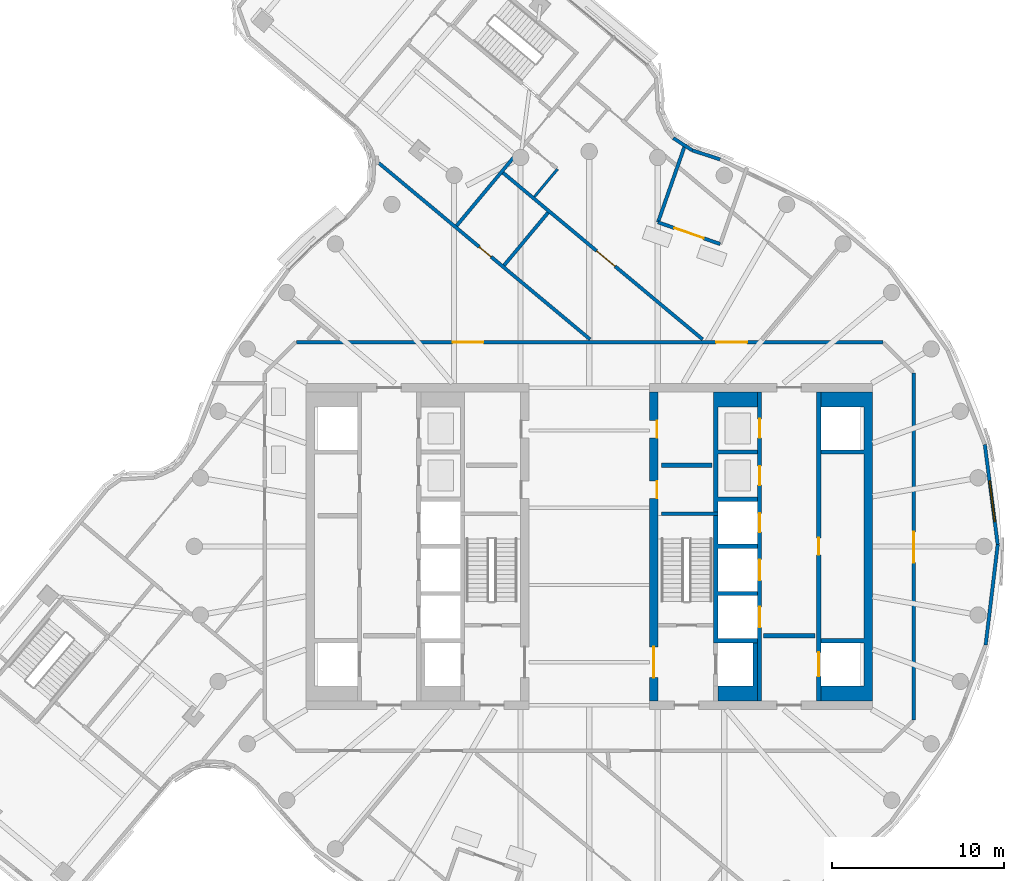
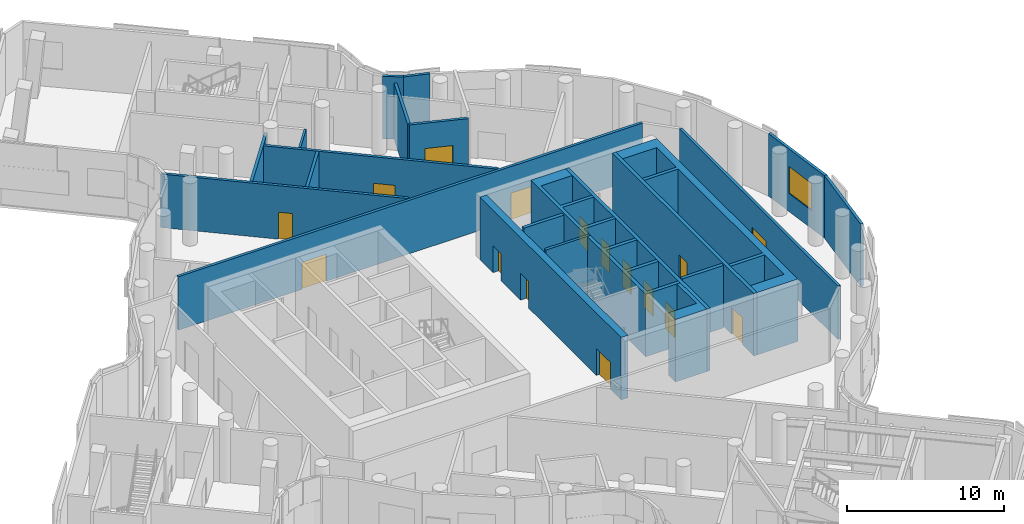
# One storey, part 10 of 19: 22 walls, 16 doors, 1 window, 17 openings.
"""IFC4 building model written with IfcOpenShell, lengths in metres."""

from ifc_helpers import new_model, si_unit, direction, frame, frame_2d, origin, place, context, subcontext, project, spatial, polyline, rectangle, outline, extrude, material, layer, layer_set, type_object, element, fill, save


model = new_model("IFC4")

# Units and contexts
model_context = context("Model", 3, precision=1e-05, world=origin(), true_north=direction((0.0, 1.0)))
body_context = subcontext(model_context, "Body", "Model", "MODEL_VIEW")
ifc_project = project(units=[si_unit("LENGTHUNIT", "METRE"), si_unit("AREAUNIT", "SQUARE_METRE"), si_unit("VOLUMEUNIT", "CUBIC_METRE"), si_unit("PLANEANGLEUNIT", "RADIAN"), si_unit("MASSUNIT", "GRAM", prefix="KILO")], contexts=[model_context])

# Site, building, storey
site_placement = place(None, origin())
site = spatial("IfcSite", under=ifc_project, at=site_placement, CompositionType="ELEMENT")
building_placement = place(site_placement, origin())
building = spatial("IfcBuilding", under=site, at=building_placement, Name="Tamarind Cross Interchange Tower", CompositionType="ELEMENT")
storey_placement = place(building_placement, frame((0.0, 0.0, 214.89990234375)))
storey = spatial("IfcBuildingStorey", under=building, at=storey_placement, Name="L54", CompositionType="ELEMENT", Elevation=214.89990234375)

# Wall, opening, door
ifc_material_1 = material(Name="Concrete C40", Category="concrete")
ifc_layer_1 = layer(ifc_material_1, 0.199951171875)
ifc_layer_set_1 = layer_set([ifc_layer_1], Name="Concrete C40")
wall_type_1 = type_object("IfcWallType", Name="Balcony and garden door wall", PredefinedType="SOLIDWALL", material=ifc_layer_set_1)
wall_1_placement = place(storey_placement, frame((7.633544921875, 17.6083984375, 0.0), z_axis=(0.0, 0.0, 1.0), x_axis=(-0.943849439762, 0.330375899638, 0.0)))
wall_1 = element("IfcWall", 1, at=wall_1_placement, inside=storey, type_object=wall_type_1, Name="EXW-L54-WG-L54-SNb", PredefinedType="SOLIDWALL", context=body_context, shape_type="SweptSolid", body=[
    extrude(rectangle(XDim=3.842041015625, YDim=0.199951171875, at=frame_2d((1.9208984375, 0.0))), origin(), (0.0, 0.0, 1.0), 4.364013671875),
])
opening_1_placement = place(wall_1_placement, frame((1.02099609375, 0.0, 0.0)))
opening_1 = element("IfcOpeningElement", 2, at=opening_1_placement, cuts=wall_1, Name="Opening D5", PredefinedType="OPENING", context=body_context, shape_type="SweptSolid", body=[
    extrude(rectangle(XDim=1.800048828125, YDim=2.39990234375, at=frame_2d((0.89990234375, 1.199951171875))), frame((0.0, 0.10986328125, 0.0), z_axis=(0.0, -1.0, 0.0), x_axis=(1.0, 0.0, 0.0)), (0.0, 0.0, 1.0), 0.219970703125),
])
ifc_material_2 = material(Name="Aluminium and toughened glass", Category="aluminium")
door_type_1 = type_object("IfcDoorType", Name="Roof garden door", OperationType="DOUBLE_DOOR_SINGLE_SWING", PredefinedType="DOOR", material=ifc_material_2)
door_1_placement = place(opening_1_placement, origin())
door_1 = element("IfcDoor", 3, at=door_1_placement, inside=storey, type_object=door_type_1, Name="DOR-L54-WG-L54-SNb", OperationType="SINGLE_SWING_LEFT", OverallHeight=2.39990234375, OverallWidth=1.800048828125, PredefinedType="DOOR", context=body_context, shape_type="SweptSolid", body=[
    extrude(rectangle(XDim=1.800048828125, YDim=2.39990234375, at=frame_2d((0.89990234375, 1.199951171875))), frame((0.0, 0.02490234375, 0.0), z_axis=(0.0, -1.0, 0.0), x_axis=(1.0, 0.0, 0.0)), (0.0, 0.0, 1.0), 0.050048828125),
])
fill(opening_1, door_1)

# Walls
wall_2_placement = place(storey_placement, frame((4.00732421875, 18.877685546875, 0.0), z_axis=(0.0, 0.0, 1.0), x_axis=(0.330357165554, 0.94385599705, 0.0)))
element("IfcWall", 4, at=wall_2_placement, inside=storey, type_object=wall_type_1, Name="EXW-L54-WG-L54-SNb-R1", PredefinedType="SOLIDWALL", context=body_context, shape_type="SweptSolid", body=[
    extrude(rectangle(XDim=4.83984375, YDim=0.199951171875, at=frame_2d((2.419921875, 0.0))), origin(), (0.0, 0.0, 1.0), 4.364013671875),
])
ifc_material_3 = material(Name="Concrete C55", Category="concrete")
ifc_layer_2 = layer(ifc_material_3, 0.5)
ifc_layer_set_2 = layer_set([ifc_layer_2], Name="Concrete C55")
wall_type_2 = type_object("IfcWallType", Name="Core wall 500 mm Concrete C55", PredefinedType="SHEAR", material=ifc_layer_set_2)
wall_3_placement = place(storey_placement, origin())
element("IfcWall", 5, at=wall_3_placement, inside=storey, type_object=wall_type_2, Name="Core wall CWL-L54-E-A", PredefinedType="SHEAR", context=body_context, shape_type="SweptSolid", body=[
    extrude(outline(polyline([(13.5, -8.125), (13.5, -9.0), (16.0, -9.0), (16.5, -9.0), (16.5, 9.0), (16.0, 9.0), (13.5, 9.0), (13.5, 8.125), (16.0, 8.125), (16.0, 5.625), (13.5, 5.625), (13.5, 5.375), (16.0, 5.375), (16.0, -5.375), (13.5, -5.375), (13.5, -5.625), (16.0, -5.625), (16.0, -8.125), (13.5, -8.125)])), origin(), (0.0, 0.0, 1.0), 4.860107421875),
])

# Wall, openings, doors
wall_4_placement = place(storey_placement, frame((3.75, -9.0, 0.0), z_axis=(0.0, 0.0, 1.0), x_axis=(0.0, 1.0, 0.0)))
wall_4 = element("IfcWall", 6, at=wall_4_placement, inside=storey, type_object=wall_type_2, Name="Core wall CWL-L54-E-IN", PredefinedType="SHEAR", context=body_context, shape_type="SweptSolid", body=[
    extrude(rectangle(XDim=18.0, YDim=0.5, at=frame_2d((9.0, 0.0))), origin(), (0.0, 0.0, 1.0), 4.860107421875),
])
opening_2_placement = place(wall_4_placement, frame((1.35009765625, 0.0, 0.0)))
opening_2 = element("IfcOpeningElement", 7, at=opening_2_placement, cuts=wall_4, Name="Opening DCE4", PredefinedType="OPENING", context=body_context, shape_type="SweptSolid", body=[
    extrude(rectangle(XDim=1.800048828125, YDim=2.10009765625, at=frame_2d((0.89990234375, 1.050048828125))), frame((0.0, 0.260009765625, 0.0), z_axis=(0.0, -1.0, 0.0), x_axis=(1.0, 0.0, 0.0)), (0.0, 0.0, 1.0), 0.52001953125),
])
opening_3_placement = place(wall_4_placement, frame((11.797607421875, 0.0, 0.0)))
opening_3 = element("IfcOpeningElement", 8, at=opening_3_placement, cuts=wall_4, Name="Opening DCE5", PredefinedType="OPENING", context=body_context, shape_type="SweptSolid", body=[
    extrude(rectangle(XDim=1.0, YDim=2.10009765625, at=frame_2d((0.5, 1.050048828125))), frame((0.0, 0.260009765625, 0.0), z_axis=(0.0, -1.0, 0.0), x_axis=(1.0, 0.0, 0.0)), (0.0, 0.0, 1.0), 0.52001953125),
])
opening_4_placement = place(wall_4_placement, frame((15.322509765625, 0.0, 0.0)))
opening_4 = element("IfcOpeningElement", 9, at=opening_4_placement, cuts=wall_4, Name="Opening DCE5", PredefinedType="OPENING", context=body_context, shape_type="SweptSolid", body=[
    extrude(rectangle(XDim=1.0, YDim=2.10009765625, at=frame_2d((0.5, 1.050048828125))), frame((0.0, 0.260009765625, 0.0), z_axis=(0.0, -1.0, 0.0), x_axis=(1.0, 0.0, 0.0)), (0.0, 0.0, 1.0), 0.52001953125),
])
ifc_material_4 = material(Name="Steel, fire-resisting", Category="steel")
door_type_2 = type_object("IfcDoorType", Name="Core fire door 1000 x 2100 FD90", OperationType="SINGLE_SWING_LEFT", PredefinedType="DOOR", material=ifc_material_4)
door_2_placement = place(opening_3_placement, origin())
door_2 = element("IfcDoor", 10, at=door_2_placement, inside=storey, type_object=door_type_2, Name="L54 plant store door", OperationType="SINGLE_SWING_LEFT", OverallHeight=2.10009765625, OverallWidth=1.0, PredefinedType="DOOR", context=body_context, shape_type="SweptSolid", body=[
    extrude(rectangle(XDim=1.0, YDim=2.10009765625, at=frame_2d((0.5, 1.050048828125))), frame((0.0, -0.1748046875, 0.0), z_axis=(0.0, -1.0, 0.0), x_axis=(1.0, 0.0, 0.0)), (0.0, 0.0, 1.0), 0.050048828125),
])
fill(opening_3, door_2)
door_3_placement = place(opening_4_placement, origin())
door_3 = element("IfcDoor", 11, at=door_3_placement, inside=storey, type_object=door_type_2, Name="L54 pump store door", OperationType="SINGLE_SWING_LEFT", OverallHeight=2.10009765625, OverallWidth=1.0, PredefinedType="DOOR", context=body_context, shape_type="SweptSolid", body=[
    extrude(rectangle(XDim=1.0, YDim=2.10009765625, at=frame_2d((0.5, 1.050048828125))), frame((0.0, -0.1748046875, 0.0), z_axis=(0.0, -1.0, 0.0), x_axis=(1.0, 0.0, 0.0)), (0.0, 0.0, 1.0), 0.050048828125),
])
fill(opening_4, door_3)
door_type_3 = type_object("IfcDoorType", Name="Core fire door 1800 x 2100 FD90", OperationType="SINGLE_SWING_LEFT", PredefinedType="DOOR", material=ifc_material_4)
door_4_placement = place(opening_2_placement, origin())
door_4 = element("IfcDoor", 12, at=door_4_placement, inside=storey, type_object=door_type_3, Name="L54 firefighting lobby door", OperationType="SINGLE_SWING_LEFT", OverallHeight=2.10009765625, OverallWidth=1.800048828125, PredefinedType="DOOR", context=body_context, shape_type="SweptSolid", body=[
    extrude(rectangle(XDim=1.800048828125, YDim=2.10009765625, at=frame_2d((0.89990234375, 1.050048828125))), frame((0.0, 0.02490234375, 0.0), z_axis=(0.0, -1.0, 0.0), x_axis=(1.0, 0.0, 0.0)), (0.0, 0.0, 1.0), 0.050048828125),
])
fill(opening_2, door_4)

# Walls
ifc_layer_3 = layer(ifc_material_3, 0.199951171875)
ifc_layer_set_3 = layer_set([ifc_layer_3], Name="Concrete C55")
wall_type_3 = type_object("IfcWallType", Name="Core web wall 200 mm Concrete C55", PredefinedType="SHEAR", material=ifc_layer_set_3)
wall_5_placement = place(storey_placement, frame((7.5, 1.89990234375, 0.0), z_axis=(0.0, 0.0, 1.0), x_axis=(-1.0, 0.0, 0.0)))
element("IfcWall", 13, at=wall_5_placement, inside=storey, type_object=wall_type_3, Name="Core wall CWL-L54-E-BD", PredefinedType="SHEAR", context=body_context, shape_type="SweptSolid", body=[
    extrude(rectangle(XDim=3.300048828125, YDim=0.199951171875, at=frame_2d((1.64990234375, 0.0))), origin(), (0.0, 0.0, 1.0), 4.860107421875),
])
ifc_layer_4 = layer(ifc_material_3, 0.25)
ifc_layer_set_4 = layer_set([ifc_layer_4], Name="Concrete C55")
wall_type_4 = type_object("IfcWallType", Name="Core web wall 250 mm Concrete C55", PredefinedType="SHEAR", material=ifc_layer_set_4)
wall_6_placement = place(storey_placement, origin())
element("IfcWall", 14, at=wall_6_placement, inside=storey, type_object=wall_type_4, Name="Core wall CWL-L54-E-BN", PredefinedType="SHEAR", context=body_context, shape_type="SweptSolid", body=[
    extrude(outline(polyline([(9.800048828125, -5.375), (7.5, -5.375), (7.5, -2.875), (9.800048828125, -2.875), (9.800048828125, -2.625), (7.5, -2.625), (7.5, -0.125), (9.800048828125, -0.125), (9.800048828125, 0.125), (7.5, 0.125), (7.5, 2.625), (9.800048828125, 2.625), (9.800048828125, 2.875), (7.5, 2.875), (7.5, 5.375), (9.800048828125, 5.375), (9.800048828125, 5.625), (7.5, 5.625), (7.5, 8.125), (9.800048828125, 8.125), (9.800048828125, 9.0), (7.5, 9.0), (7.25, 9.0), (7.25, -5.625), (7.5, -5.625), (9.800048828125, -5.625), (9.800048828125, -5.375)])), origin(), (0.0, 0.0, 1.0), 4.860107421875),
])
wall_7_placement = place(storey_placement, origin())
element("IfcWall", 15, at=wall_7_placement, inside=storey, type_object=wall_type_4, Name="Core wall CWL-L54-E-BS", PredefinedType="SHEAR", context=body_context, shape_type="SweptSolid", body=[
    extrude(outline(polyline([(7.5, -8.125), (7.5, -9.0), (9.800048828125, -9.0), (9.800048828125, -8.125), (9.800048828125, -5.625), (9.550048828125, -5.625), (9.550048828125, -8.125), (7.5, -8.125)])), origin(), (0.0, 0.0, 1.0), 4.860107421875),
])

# Wall, openings, doors
wall_8_placement = place(storey_placement, frame((13.375, -9.0, 0.0), z_axis=(0.0, 0.0, 1.0), x_axis=(0.0, 1.0, 0.0)))
wall_8 = element("IfcWall", 16, at=wall_8_placement, inside=storey, type_object=wall_type_4, Name="Core wall CWL-L54-E-LA", PredefinedType="SHEAR", context=body_context, shape_type="SweptSolid", body=[
    extrude(rectangle(XDim=18.0, YDim=0.25, at=frame_2d((9.0, 0.0))), origin(), (0.0, 0.0, 1.0), 4.860107421875),
])
opening_5_placement = place(wall_8_placement, frame((1.425048828125, 0.0, 0.0)))
opening_5 = element("IfcOpeningElement", 17, at=opening_5_placement, cuts=wall_8, Name="Opening LD13L54", PredefinedType="OPENING", context=body_context, shape_type="SweptSolid", body=[
    extrude(rectangle(XDim=1.39990234375, YDim=2.10009765625, at=frame_2d((0.699951171875, 1.050048828125))), frame((0.0, 0.135009765625, 0.0), z_axis=(0.0, -1.0, 0.0), x_axis=(1.0, 0.0, 0.0)), (0.0, 0.0, 1.0), 0.27001953125),
])
opening_6_placement = place(wall_8_placement, frame((8.5, 0.0, 0.0)))
opening_6 = element("IfcOpeningElement", 18, at=opening_6_placement, cuts=wall_8, Name="Opening DCE9", PredefinedType="OPENING", context=body_context, shape_type="SweptSolid", body=[
    extrude(rectangle(XDim=1.0, YDim=2.10009765625, at=frame_2d((0.5, 1.050048828125))), frame((0.0, 0.135009765625, 0.0), z_axis=(0.0, -1.0, 0.0), x_axis=(1.0, 0.0, 0.0)), (0.0, 0.0, 1.0), 0.27001953125),
])
door_5_placement = place(opening_6_placement, origin())
door_5 = element("IfcDoor", 19, at=door_5_placement, inside=storey, type_object=door_type_2, Name="L54 Refuge storage room door", OperationType="SINGLE_SWING_LEFT", OverallHeight=2.10009765625, OverallWidth=1.0, PredefinedType="DOOR", context=body_context, shape_type="SweptSolid", body=[
    extrude(rectangle(XDim=1.0, YDim=2.10009765625, at=frame_2d((0.5, 1.050048828125))), frame((0.0, 0.02490234375, 0.0), z_axis=(0.0, -1.0, 0.0), x_axis=(1.0, 0.0, 0.0)), (0.0, 0.0, 1.0), 0.050048828125),
])
fill(opening_6, door_5)
ifc_material_5 = material(Name="Stainless steel panel", Category="steel")
door_type_4 = type_object("IfcDoorType", Name="Lift landing door 1400 x 2100 E 120", OperationType="SLIDING_TO_LEFT", PredefinedType="DOOR", material=ifc_material_5)
door_6_placement = place(opening_5_placement, origin())
door_6 = element("IfcDoor", 20, at=door_6_placement, inside=storey, type_object=door_type_4, Name="L54 landing door LF13", OperationType="SLIDING_TO_LEFT", OverallHeight=2.10009765625, OverallWidth=1.39990234375, PredefinedType="DOOR", context=body_context, shape_type="SweptSolid", body=[
    extrude(rectangle(XDim=1.39990234375, YDim=2.10009765625, at=frame_2d((0.699951171875, 1.050048828125))), frame((0.0, 0.02490234375, 0.0), z_axis=(0.0, -1.0, 0.0), x_axis=(1.0, 0.0, 0.0)), (0.0, 0.0, 1.0), 0.050048828125),
])
fill(opening_5, door_6)

wall_9_placement = place(storey_placement, frame((9.925048828125, -9.0, 0.0), z_axis=(0.0, 0.0, 1.0), x_axis=(0.0, 1.0, 0.0)))
wall_9 = element("IfcWall", 21, at=wall_9_placement, inside=storey, type_object=wall_type_4, Name="Core wall CWL-L54-E-LB", PredefinedType="SHEAR", context=body_context, shape_type="SweptSolid", body=[
    extrude(rectangle(XDim=18.0, YDim=0.25, at=frame_2d((9.0, 0.0))), origin(), (0.0, 0.0, 1.0), 4.860107421875),
])
opening_7_placement = place(wall_9_placement, frame((4.27490234375, 0.0, 0.0)))
opening_7 = element("IfcOpeningElement", 22, at=opening_7_placement, cuts=wall_9, Name="Opening LD20L54", PredefinedType="OPENING", context=body_context, shape_type="SweptSolid", body=[
    extrude(rectangle(XDim=1.199951171875, YDim=2.10009765625, at=frame_2d((0.60009765625, 1.050048828125))), frame((0.0, 0.135009765625, 0.0), z_axis=(0.0, -1.0, 0.0), x_axis=(1.0, 0.0, 0.0)), (0.0, 0.0, 1.0), 0.27001953125),
])
opening_8_placement = place(wall_9_placement, frame((7.02490234375, 0.0, 0.0)))
opening_8 = element("IfcOpeningElement", 23, at=opening_8_placement, cuts=wall_9, Name="Opening LD21L54", PredefinedType="OPENING", context=body_context, shape_type="SweptSolid", body=[
    extrude(rectangle(XDim=1.199951171875, YDim=2.10009765625, at=frame_2d((0.60009765625, 1.050048828125))), frame((0.0, 0.135009765625, 0.0), z_axis=(0.0, -1.0, 0.0), x_axis=(1.0, 0.0, 0.0)), (0.0, 0.0, 1.0), 0.27001953125),
])
opening_9_placement = place(wall_9_placement, frame((9.824951171875, 0.0, 0.0)))
opening_9 = element("IfcOpeningElement", 24, at=opening_9_placement, cuts=wall_9, Name="Opening LD22L54", PredefinedType="OPENING", context=body_context, shape_type="SweptSolid", body=[
    extrude(rectangle(XDim=1.10009765625, YDim=2.10009765625, at=frame_2d((0.550048828125, 1.050048828125))), frame((0.0, 0.135009765625, 0.0), z_axis=(0.0, -1.0, 0.0), x_axis=(1.0, 0.0, 0.0)), (0.0, 0.0, 1.0), 0.27001953125),
])
opening_10_placement = place(wall_9_placement, frame((12.574951171875, 0.0, 0.0)))
opening_10 = element("IfcOpeningElement", 25, at=opening_10_placement, cuts=wall_9, Name="Opening LD23L54", PredefinedType="OPENING", context=body_context, shape_type="SweptSolid", body=[
    extrude(rectangle(XDim=1.10009765625, YDim=2.10009765625, at=frame_2d((0.550048828125, 1.050048828125))), frame((0.0, 0.135009765625, 0.0), z_axis=(0.0, -1.0, 0.0), x_axis=(1.0, 0.0, 0.0)), (0.0, 0.0, 1.0), 0.27001953125),
])
opening_11_placement = place(wall_9_placement, frame((15.324951171875, 0.0, 0.0)))
opening_11 = element("IfcOpeningElement", 26, at=opening_11_placement, cuts=wall_9, Name="Opening LD24L54", PredefinedType="OPENING", context=body_context, shape_type="SweptSolid", body=[
    extrude(rectangle(XDim=1.10009765625, YDim=2.10009765625, at=frame_2d((0.550048828125, 1.050048828125))), frame((0.0, 0.135009765625, 0.0), z_axis=(0.0, -1.0, 0.0), x_axis=(1.0, 0.0, 0.0)), (0.0, 0.0, 1.0), 0.27001953125),
])
door_type_5 = type_object("IfcDoorType", Name="Lift landing door 1100 x 2100 E 120", OperationType="SLIDING_TO_LEFT", PredefinedType="DOOR", material=ifc_material_5)
door_7_placement = place(opening_9_placement, origin())
door_7 = element("IfcDoor", 27, at=door_7_placement, inside=storey, type_object=door_type_5, Name="L54 landing door LF22", OperationType="SLIDING_TO_LEFT", OverallHeight=2.10009765625, OverallWidth=1.10009765625, PredefinedType="DOOR", context=body_context, shape_type="SweptSolid", body=[
    extrude(rectangle(XDim=1.10009765625, YDim=2.10009765625, at=frame_2d((0.550048828125, 1.050048828125))), frame((0.0, 0.02490234375, 0.0), z_axis=(0.0, -1.0, 0.0), x_axis=(1.0, 0.0, 0.0)), (0.0, 0.0, 1.0), 0.050048828125),
])
fill(opening_9, door_7)
door_8_placement = place(opening_10_placement, origin())
door_8 = element("IfcDoor", 28, at=door_8_placement, inside=storey, type_object=door_type_5, Name="L54 landing door LF23", OperationType="SLIDING_TO_LEFT", OverallHeight=2.10009765625, OverallWidth=1.10009765625, PredefinedType="DOOR", context=body_context, shape_type="SweptSolid", body=[
    extrude(rectangle(XDim=1.10009765625, YDim=2.10009765625, at=frame_2d((0.550048828125, 1.050048828125))), frame((0.0, 0.02490234375, 0.0), z_axis=(0.0, -1.0, 0.0), x_axis=(1.0, 0.0, 0.0)), (0.0, 0.0, 1.0), 0.050048828125),
])
fill(opening_10, door_8)
door_9_placement = place(opening_11_placement, origin())
door_9 = element("IfcDoor", 29, at=door_9_placement, inside=storey, type_object=door_type_5, Name="L54 landing door LF24", OperationType="SLIDING_TO_LEFT", OverallHeight=2.10009765625, OverallWidth=1.10009765625, PredefinedType="DOOR", context=body_context, shape_type="SweptSolid", body=[
    extrude(rectangle(XDim=1.10009765625, YDim=2.10009765625, at=frame_2d((0.550048828125, 1.050048828125))), frame((0.0, 0.02490234375, 0.0), z_axis=(0.0, -1.0, 0.0), x_axis=(1.0, 0.0, 0.0)), (0.0, 0.0, 1.0), 0.050048828125),
])
fill(opening_11, door_9)
door_type_6 = type_object("IfcDoorType", Name="Lift landing door 1200 x 2100 E 120", OperationType="SLIDING_TO_LEFT", PredefinedType="DOOR", material=ifc_material_5)
door_10_placement = place(opening_7_placement, origin())
door_10 = element("IfcDoor", 30, at=door_10_placement, inside=storey, type_object=door_type_6, Name="L54 landing door LF20", OperationType="SLIDING_TO_LEFT", OverallHeight=2.10009765625, OverallWidth=1.199951171875, PredefinedType="DOOR", context=body_context, shape_type="SweptSolid", body=[
    extrude(rectangle(XDim=1.199951171875, YDim=2.10009765625, at=frame_2d((0.60009765625, 1.050048828125))), frame((0.0, 0.02490234375, 0.0), z_axis=(0.0, -1.0, 0.0), x_axis=(1.0, 0.0, 0.0)), (0.0, 0.0, 1.0), 0.050048828125),
])
fill(opening_7, door_10)
door_11_placement = place(opening_8_placement, origin())
door_11 = element("IfcDoor", 31, at=door_11_placement, inside=storey, type_object=door_type_6, Name="L54 landing door LF21", OperationType="SLIDING_TO_LEFT", OverallHeight=2.10009765625, OverallWidth=1.199951171875, PredefinedType="DOOR", context=body_context, shape_type="SweptSolid", body=[
    extrude(rectangle(XDim=1.199951171875, YDim=2.10009765625, at=frame_2d((0.60009765625, 1.050048828125))), frame((0.0, 0.02490234375, 0.0), z_axis=(0.0, -1.0, 0.0), x_axis=(1.0, 0.0, 0.0)), (0.0, 0.0, 1.0), 0.050048828125),
])
fill(opening_8, door_11)

# Wall
ifc_material_6 = material(Name="Gypsum board partition on steel studs", Category="steel")
ifc_layer_5 = layer(ifc_material_6, 0.14990234375)
ifc_layer_set_5 = layer_set([ifc_layer_5], Name="Gypsum board partition on steel studs")
wall_type_5 = type_object("IfcWallType", Name="Partition 150 mm EI 120", PredefinedType="PARTITIONING", material=ifc_layer_set_5)
wall_10_placement = place(storey_placement, frame((-3.18896484375, 20.36376953125, 0.0), z_axis=(0.0, 0.0, 1.0), x_axis=(0.640573180371, 0.767897128911, 0.0)))
element("IfcWall", 32, at=wall_10_placement, inside=storey, type_object=wall_type_5, Name="Partition L54-040", PredefinedType="PARTITIONING", context=body_context, shape_type="SweptSolid", body=[
    extrude(rectangle(XDim=2.099609375, YDim=0.14990234375, at=frame_2d((1.0498046875, 0.0))), origin(), (0.0, 0.0, 1.0), 4.16015625),
])

# Wall, opening, door
ifc_layer_6 = layer(ifc_material_6, 0.199951171875)
ifc_layer_set_6 = layer_set([ifc_layer_6], Name="Gypsum board partition on steel studs")
wall_type_6 = type_object("IfcWallType", Name="Partition 200 mm EI 180", PredefinedType="PARTITIONING", material=ifc_layer_set_6)
wall_11_placement = place(storey_placement, frame((-12.255615234375, 22.329345703125, 0.0), z_axis=(0.0, 0.0, 1.0), x_axis=(0.767726730688, -0.640777392693, 0.0)))
wall_11 = element("IfcWall", 33, at=wall_11_placement, inside=storey, type_object=wall_type_6, Name="Partition L54-011", PredefinedType="PARTITIONING", context=body_context, shape_type="SweptSolid", body=[
    extrude(rectangle(XDim=16.03125, YDim=0.199951171875, at=frame_2d((8.015625, 0.0))), origin(), (0.0, 0.0, 1.0), 4.16015625),
])
opening_12_placement = place(wall_11_placement, frame((7.620361328125, 0.0, 0.0)))
opening_12 = element("IfcOpeningElement", 34, at=opening_12_placement, cuts=wall_11, Name="Opening D04", PredefinedType="OPENING", context=body_context, shape_type="SweptSolid", body=[
    extrude(rectangle(XDim=0.89990234375, YDim=2.10009765625, at=frame_2d((0.449951171875, 1.050048828125))), frame((0.0, 0.10986328125, 0.0), z_axis=(0.0, -1.0, 0.0), x_axis=(1.0, 0.0, 0.0)), (0.0, 0.0, 1.0), 0.219970703125),
])
ifc_material_7 = material(Name="Fire-resisting door set")
door_type_7 = type_object("IfcDoorType", Name="Interior door 900 x 2100 FD120S", OperationType="SINGLE_SWING_LEFT", PredefinedType="DOOR", material=ifc_material_7)
door_12_placement = place(opening_12_placement, origin())
door_12 = element("IfcDoor", 35, at=door_12_placement, inside=storey, type_object=door_type_7, Name="Door D04", OperationType="SINGLE_SWING_LEFT", OverallHeight=2.10009765625, OverallWidth=0.89990234375, PredefinedType="DOOR", context=body_context, shape_type="SweptSolid", body=[
    extrude(rectangle(XDim=0.89990234375, YDim=2.10009765625, at=frame_2d((0.449951171875, 1.050048828125))), frame((0.0, 0.02490234375, 0.0), z_axis=(0.0, -1.0, 0.0), x_axis=(1.0, 0.0, 0.0)), (0.0, 0.0, 1.0), 0.050048828125),
])
fill(opening_12, door_12)

wall_12_placement = place(storey_placement, frame((-5.019287109375, 21.760986328125, 0.0), z_axis=(0.0, 0.0, 1.0), x_axis=(0.767714934774, -0.640791525323, 0.0)))
wall_12 = element("IfcWall", 36, at=wall_12_placement, inside=storey, type_object=wall_type_6, Name="Partition L54-016", PredefinedType="PARTITIONING", context=body_context, shape_type="SweptSolid", body=[
    extrude(rectangle(XDim=15.14404296875, YDim=0.199951171875, at=frame_2d((7.572021484375, 0.0))), origin(), (0.0, 0.0, 1.0), 4.16015625),
])
opening_13_placement = place(wall_12_placement, frame((7.100341796875, 0.0, 0.0)))
opening_13 = element("IfcOpeningElement", 37, at=opening_13_placement, cuts=wall_12, Name="Opening D09", PredefinedType="OPENING", context=body_context, shape_type="SweptSolid", body=[
    extrude(rectangle(XDim=1.39990234375, YDim=2.10009765625, at=frame_2d((0.699951171875, 1.050048828125))), frame((0.0, 0.10986328125, 0.0), z_axis=(0.0, -1.0, 0.0), x_axis=(1.0, 0.0, 0.0)), (0.0, 0.0, 1.0), 0.219970703125),
])
door_type_8 = type_object("IfcDoorType", Name="Interior door 1400 x 2100 FD120S", OperationType="DOUBLE_DOOR_SINGLE_SWING", PredefinedType="DOOR", material=ifc_material_7)
door_13_placement = place(opening_13_placement, frame((1.39990234375, 0.0, 0.0), z_axis=(0.0, 0.0, 1.0), x_axis=(-1.0, 0.0, 0.0)))
door_13 = element("IfcDoor", 38, at=door_13_placement, inside=storey, type_object=door_type_8, Name="Door D09", OperationType="DOUBLE_DOOR_SINGLE_SWING", OverallHeight=2.10009765625, OverallWidth=1.39990234375, PredefinedType="DOOR", context=body_context, shape_type="SweptSolid", body=[
    extrude(rectangle(XDim=1.39990234375, YDim=2.10009765625, at=frame_2d((0.699951171875, 1.050048828125))), frame((0.0, 0.02490234375, 0.0), z_axis=(0.0, -1.0, 0.0), x_axis=(1.0, 0.0, 0.0)), (0.0, 0.0, 1.0), 0.050048828125),
])
fill(opening_13, door_13)

# Wall, openings, doors
wall_13_placement = place(storey_placement, frame((-17.044921875, 11.89990234375, 0.0), z_axis=(0.0, 0.0, 1.0), x_axis=(1.0, 0.0, 0.0)))
wall_13 = element("IfcWall", 39, at=wall_13_placement, inside=storey, type_object=wall_type_6, Name="Partition L54-024", PredefinedType="PARTITIONING", context=body_context, shape_type="SweptSolid", body=[
    extrude(rectangle(XDim=34.14501953125, YDim=0.199951171875, at=frame_2d((17.072509765625, 0.0))), origin(), (0.0, 0.0, 1.0), 4.16015625),
])
opening_14_placement = place(wall_13_placement, frame((24.43994140625, 0.0, 0.0)))
opening_14 = element("IfcOpeningElement", 40, at=opening_14_placement, cuts=wall_13, Name="Opening D18", PredefinedType="OPENING", context=body_context, shape_type="SweptSolid", body=[
    extrude(rectangle(XDim=1.800048828125, YDim=2.10009765625, at=frame_2d((0.89990234375, 1.050048828125))), frame((0.0, 0.10986328125, 0.0), z_axis=(0.0, -1.0, 0.0), x_axis=(1.0, 0.0, 0.0)), (0.0, 0.0, 1.0), 0.219970703125),
])
opening_15_placement = place(wall_13_placement, frame((9.0859375, 0.0, 0.0)))
opening_15 = element("IfcOpeningElement", 41, at=opening_15_placement, cuts=wall_13, Name="Opening D19", PredefinedType="OPENING", context=body_context, shape_type="SweptSolid", body=[
    extrude(rectangle(XDim=1.800048828125, YDim=2.10009765625, at=frame_2d((0.89990234375, 1.050048828125))), frame((0.0, 0.10986328125, 0.0), z_axis=(0.0, -1.0, 0.0), x_axis=(1.0, 0.0, 0.0)), (0.0, 0.0, 1.0), 0.219970703125),
])
door_type_9 = type_object("IfcDoorType", Name="Interior door 1800 x 2100 FD120S", OperationType="DOUBLE_DOOR_SINGLE_SWING", PredefinedType="DOOR", material=ifc_material_7)
door_14_placement = place(opening_14_placement, frame((1.800048828125, 0.0, 0.0), z_axis=(0.0, 0.0, 1.0), x_axis=(-1.0, 0.0, 0.0)))
door_14 = element("IfcDoor", 42, at=door_14_placement, inside=storey, type_object=door_type_9, Name="Door D18", OperationType="DOUBLE_DOOR_SINGLE_SWING", OverallHeight=2.10009765625, OverallWidth=1.800048828125, PredefinedType="DOOR", context=body_context, shape_type="SweptSolid", body=[
    extrude(rectangle(XDim=1.800048828125, YDim=2.10009765625, at=frame_2d((0.89990234375, 1.050048828125))), frame((0.0, 0.02490234375, 0.0), z_axis=(0.0, -1.0, 0.0), x_axis=(1.0, 0.0, 0.0)), (0.0, 0.0, 1.0), 0.050048828125),
])
fill(opening_14, door_14)
door_15_placement = place(opening_15_placement, frame((1.800048828125, 0.0, 0.0), z_axis=(0.0, 0.0, 1.0), x_axis=(-1.0, 0.0, 0.0)))
door_15 = element("IfcDoor", 43, at=door_15_placement, inside=storey, type_object=door_type_9, Name="Door D19", OperationType="DOUBLE_DOOR_SINGLE_SWING", OverallHeight=2.10009765625, OverallWidth=1.800048828125, PredefinedType="DOOR", context=body_context, shape_type="SweptSolid", body=[
    extrude(rectangle(XDim=1.800048828125, YDim=2.10009765625, at=frame_2d((0.89990234375, 1.050048828125))), frame((0.0, 0.02490234375, 0.0), z_axis=(0.0, -1.0, 0.0), x_axis=(1.0, 0.0, 0.0)), (0.0, 0.0, 1.0), 0.050048828125),
])
fill(opening_15, door_15)

# Walls
wall_14_placement = place(storey_placement, frame((-7.722900390625, 18.6767578125, 0.0), z_axis=(0.0, 0.0, 1.0), x_axis=(0.640682845605, 0.767805633834, 0.0)))
element("IfcWall", 44, at=wall_14_placement, inside=storey, type_object=wall_type_6, Name="Partition L54-036", PredefinedType="PARTITIONING", context=body_context, shape_type="SweptSolid", body=[
    extrude(rectangle(XDim=5.49072265625, YDim=0.199951171875, at=frame_2d((2.745361328125, 0.0))), origin(), (0.0, 0.0, 1.0), 4.16015625),
])
wall_15_placement = place(storey_placement, frame((-4.958984375, 16.369873046875, 0.0), z_axis=(0.0, 0.0, 1.0), x_axis=(0.64071252412, 0.76778086811, 0.0)))
element("IfcWall", 45, at=wall_15_placement, inside=storey, type_object=wall_type_6, Name="Partition L54-038", PredefinedType="PARTITIONING", context=body_context, shape_type="SweptSolid", body=[
    extrude(rectangle(XDim=4.000244140625, YDim=0.199951171875, at=frame_2d((2.0, 0.0))), origin(), (0.0, 0.0, 1.0), 4.16015625),
])

# Wall, opening, door
wall_16_placement = place(storey_placement, frame((18.89990234375, -10.10009765625, 0.0), z_axis=(0.0, 0.0, 1.0), x_axis=(0.0, 1.0, 0.0)))
wall_16 = element("IfcWall", 46, at=wall_16_placement, inside=storey, type_object=wall_type_6, Name="Partition L54-049", PredefinedType="PARTITIONING", context=body_context, shape_type="SweptSolid", body=[
    extrude(rectangle(XDim=20.2001953125, YDim=0.199951171875, at=frame_2d((10.10009765625, 0.0))), origin(), (0.0, 0.0, 1.0), 4.16015625),
])
opening_16_placement = place(wall_16_placement, frame((9.14990234375, 0.0, 0.0)))
opening_16 = element("IfcOpeningElement", 47, at=opening_16_placement, cuts=wall_16, Name="Opening D28", PredefinedType="OPENING", context=body_context, shape_type="SweptSolid", body=[
    extrude(rectangle(XDim=1.800048828125, YDim=2.10009765625, at=frame_2d((0.89990234375, 1.050048828125))), frame((0.0, 0.10986328125, 0.0), z_axis=(0.0, -1.0, 0.0), x_axis=(1.0, 0.0, 0.0)), (0.0, 0.0, 1.0), 0.219970703125),
])
door_16_placement = place(opening_16_placement, frame((1.800048828125, 0.0, 0.0), z_axis=(0.0, 0.0, 1.0), x_axis=(-1.0, 0.0, 0.0)))
door_16 = element("IfcDoor", 48, at=door_16_placement, inside=storey, type_object=door_type_9, Name="Door D28", OperationType="DOUBLE_DOOR_SINGLE_SWING", OverallHeight=2.10009765625, OverallWidth=1.800048828125, PredefinedType="DOOR", context=body_context, shape_type="SweptSolid", body=[
    extrude(rectangle(XDim=1.800048828125, YDim=2.10009765625, at=frame_2d((0.89990234375, 1.050048828125))), frame((0.0, 0.02490234375, 0.0), z_axis=(0.0, -1.0, 0.0), x_axis=(1.0, 0.0, 0.0)), (0.0, 0.0, 1.0), 0.050048828125),
])
fill(opening_16, door_16)

# Wall
ifc_material_8 = material(Name="Precast concrete C40", Category="concrete")
ifc_layer_7 = layer(ifc_material_8, 0.199951171875)
ifc_layer_set_7 = layer_set([ifc_layer_7], Name="Precast concrete C40")
wall_type_7 = type_object("IfcWallType", Name="Refuge level external wall", PredefinedType="SOLIDWALL", material=ifc_layer_set_7)
wall_17_placement = place(storey_placement, frame((23.092529296875, -5.7421875, 0.0), z_axis=(0.0, 0.0, 1.0), x_axis=(0.119444493684, 0.992840879964, 0.0)))
element("IfcWall", 49, at=wall_17_placement, inside=storey, type_object=wall_type_7, Name="RFW-L54-06-08", PredefinedType="SOLIDWALL", context=body_context, shape_type="SweptSolid", body=[
    extrude(rectangle(XDim=5.88671875, YDim=0.199951171875, at=frame_2d((2.943359375, 0.0))), origin(), (0.0, 0.0, 1.0), 4.860107421875),
])

# Wall, opening, window
wall_18_placement = place(storey_placement, frame((23.795654296875, 0.102294921875, 0.0), z_axis=(0.0, 0.0, 1.0), x_axis=(-0.127984496791, 0.991776168589, 0.0)))
wall_18 = element("IfcWall", 50, at=wall_18_placement, inside=storey, type_object=wall_type_7, Name="RFW-L54-06-09", PredefinedType="SOLIDWALL", context=body_context, shape_type="SweptSolid", body=[
    extrude(rectangle(XDim=5.88671875, YDim=0.199951171875, at=frame_2d((2.943359375, 0.0))), origin(), (0.0, 0.0, 1.0), 4.860107421875),
])
opening_17_placement = place(wall_18_placement, frame((1.340087890625, 0.0, 1.39990234375)))
opening_17 = element("IfcOpeningElement", 51, at=opening_17_placement, cuts=wall_18, Name="Opening W3", PredefinedType="OPENING", context=body_context, shape_type="SweptSolid", body=[
    extrude(rectangle(XDim=2.39990234375, YDim=2.10009765625, at=frame_2d((1.199951171875, 1.050048828125))), frame((0.0, 0.10986328125, 0.0), z_axis=(0.0, -1.0, 0.0), x_axis=(1.0, 0.0, 0.0)), (0.0, 0.0, 1.0), 0.219970703125),
])
ifc_material_9 = material(Name="Aluminium and fire-resisting glass", Category="aluminium")
window_type = type_object("IfcWindowType", Name="Refuge rescue window", PartitioningType="DOUBLE_PANEL_VERTICAL", PredefinedType="WINDOW", material=ifc_material_9)
window_placement = place(opening_17_placement, origin())
window = element("IfcWindow", 52, at=window_placement, inside=storey, type_object=window_type, Name="RSW-L54-06-06", OverallHeight=2.10009765625, OverallWidth=2.39990234375, PartitioningType="SINGLE_PANEL", PredefinedType="WINDOW", context=body_context, shape_type="SweptSolid", body=[
    extrude(rectangle(XDim=2.39990234375, YDim=2.10009765625, at=frame_2d((1.199951171875, 1.050048828125))), frame((0.0, 0.030029296875, 0.0), z_axis=(0.0, -1.0, 0.0), x_axis=(1.0, 0.0, 0.0)), (0.0, 0.0, 1.0), 0.06005859375),
])
fill(opening_17, window)

# Walls
wall_19_placement = place(storey_placement, frame((7.626953125, 22.54052734375, 0.0), z_axis=(0.0, 0.0, 1.0), x_axis=(-0.95133493258, 0.308158800056, 0.0)))
element("IfcWall", 53, at=wall_19_placement, inside=storey, type_object=wall_type_7, Name="RFW-L54-06-014", PredefinedType="SOLIDWALL", context=body_context, shape_type="SweptSolid", body=[
    extrude(rectangle(XDim=1.708984375, YDim=0.199951171875, at=frame_2d((0.8544921875, 0.0))), origin(), (0.0, 0.0, 1.0), 4.860107421875),
])
wall_20_placement = place(storey_placement, frame((6.001220703125, 23.067138671875, 0.0), z_axis=(0.0, 0.0, 1.0), x_axis=(-0.839116919662, 0.543951096274, 0.0)))
element("IfcWall", 54, at=wall_20_placement, inside=storey, type_object=wall_type_7, Name="RFW-L54-06-015", PredefinedType="SOLIDWALL", context=body_context, shape_type="SweptSolid", body=[
    extrude(rectangle(XDim=1.31591796875, YDim=0.199951171875, at=frame_2d((0.657958984375, 0.0))), origin(), (0.0, 0.0, 1.0), 4.860107421875),
])
ifc_layer_8 = layer(ifc_material_1, 0.25)
ifc_layer_set_8 = layer_set([ifc_layer_8], Name="Concrete C40")
wall_type_8 = type_object("IfcWallType", Name="Shaft and lobby wall 250 mm Concrete C40", PredefinedType="PARTITIONING", material=ifc_layer_set_8)
wall_21_placement = place(storey_placement, frame((7.14990234375, 4.719970703125, 0.0), z_axis=(0.0, 0.0, 1.0), x_axis=(-1.0, 0.0, 0.0)))
element("IfcWall", 55, at=wall_21_placement, inside=storey, type_object=wall_type_8, Name="Shaft wall CWL-L54-E-SVP", PredefinedType="PARTITIONING", context=body_context, shape_type="SweptSolid", body=[
    extrude(rectangle(XDim=2.949951171875, YDim=0.25, at=frame_2d((1.47509765625, 0.0))), origin(), (0.0, 0.0, 1.0), 4.860107421875),
])
wall_22_placement = place(storey_placement, frame((13.14990234375, -5.199951171875, 0.0), z_axis=(0.0, 0.0, 1.0), x_axis=(-1.0, 0.0, 0.0)))
element("IfcWall", 56, at=wall_22_placement, inside=storey, type_object=wall_type_8, Name="Shaft wall CWL-L54-E-EVP", PredefinedType="PARTITIONING", context=body_context, shape_type="SweptSolid", body=[
    extrude(rectangle(XDim=3.0, YDim=0.25, at=frame_2d((1.5, 0.0))), origin(), (0.0, 0.0, 1.0), 4.860107421875),
])

save(model, "model.ifc")
